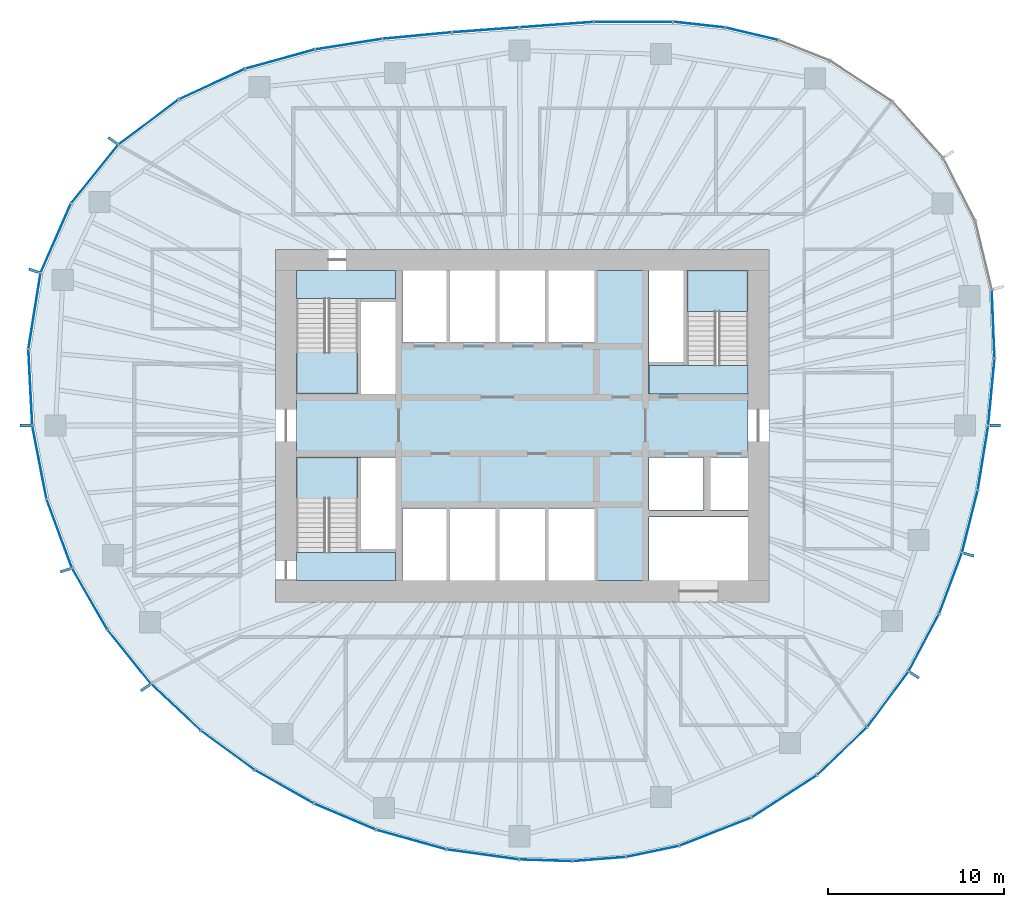
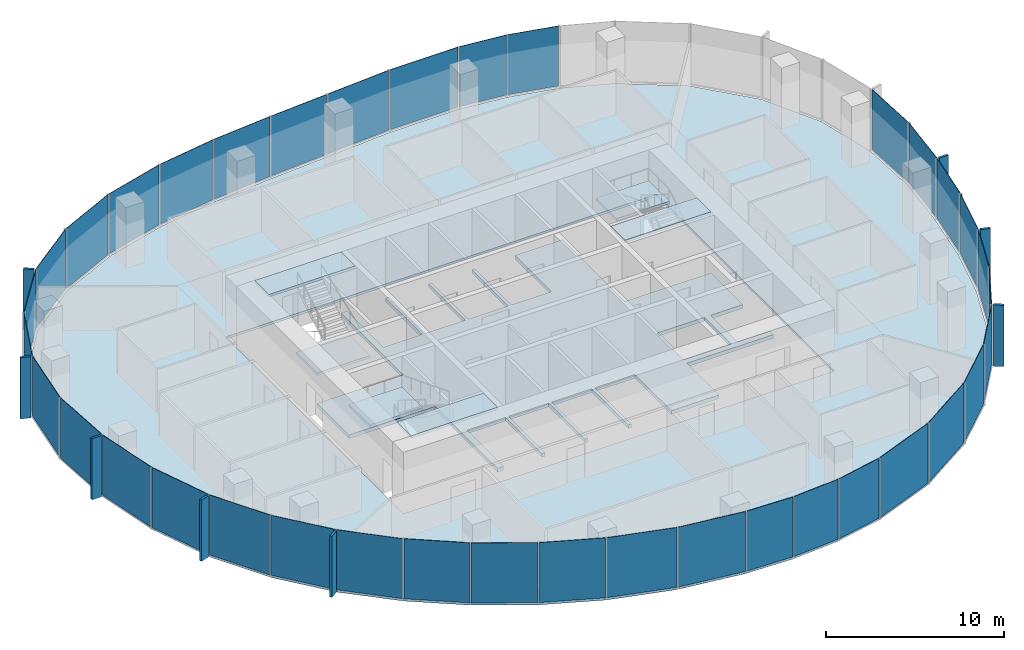
# One storey, part 7 of 11: 45 plates, 8 slabs, 21 elements without a shape of their own.
"""IFC4 building model written with IfcOpenShell, lengths in metres."""

from ifc_helpers import new_model, si_unit, direction, frame, origin, origin_2d, place, context, subcontext, project, spatial, polyline, rectangle, outline, extrude, material, layer, layer_set, type_object, element, aggregate, save


model = new_model("IFC4")

# Units and contexts
model_context = context("Model", 3, precision=1e-05, world=origin(), true_north=direction((0.0, 1.0)))
body_context = subcontext(model_context, "Body", "Model", "MODEL_VIEW")
ifc_project = project(units=[si_unit("LENGTHUNIT", "METRE"), si_unit("AREAUNIT", "SQUARE_METRE"), si_unit("VOLUMEUNIT", "CUBIC_METRE"), si_unit("PLANEANGLEUNIT", "RADIAN"), si_unit("MASSUNIT", "GRAM", prefix="KILO")], contexts=[model_context])

# Site, building, storey
site_placement = place(None, origin())
site = spatial("IfcSite", under=ifc_project, at=site_placement, CompositionType="ELEMENT")
building_placement = place(site_placement, origin())
building = spatial("IfcBuilding", under=site, at=building_placement, Name="Ghaith Harvest Tower", CompositionType="ELEMENT")
storey_placement = place(building_placement, frame((0.0, 0.0, 245.199951171875)))
storey = spatial("IfcBuildingStorey", under=building, at=storey_placement, Name="L54", CompositionType="ELEMENT", Elevation=245.199951171875)

# Curtain wall, plates
ifc_material_1 = material(Name="Black anodised aluminium and fritted glass", Category="aluminium")
curtain_wall_type = type_object("IfcCurtainWallType", Name="CW-H CURTAIN WALL", PredefinedType="NOTDEFINED", material=ifc_material_1)
curtain_wall_1_placement = place(storey_placement, origin())
curtain_wall_1 = element("IfcCurtainWall", 1, at=curtain_wall_1_placement, inside=storey, type_object=curtain_wall_type, Name="Curtain wall CW-H bay 01 L54", PredefinedType="NOTDEFINED")
ifc_material_2 = material(Name="Glass, dark solar-control fritted double glazed unit", Category="glass")
ifc_layer_1 = layer(ifc_material_2, 0.030029296875)
ifc_layer_set_1 = layer_set([ifc_layer_1], Name="CW-H VISION PANEL")
plate_type_1 = type_object("IfcPlateType", Name="CW-H VISION PANEL", PredefinedType="CURTAIN_PANEL", material=ifc_layer_set_1)
plate_1_placement = place(storey_placement, frame((26.624755859375, 1.89794921875, 0.080078125), z_axis=(0.0, 0.0, 1.0), x_axis=(0.094301909937, 0.995543645343, 0.0)))
plate_1 = element("IfcPlate", 2, at=plate_1_placement, type_object=plate_type_1, Name="CW-H glass unit 1 bay 01 L54", PredefinedType="CURTAIN_PANEL", context=body_context, shape_type="SweptSolid", body=[
    extrude(rectangle(XDim=3.73291015625, YDim=0.030029296875, at=origin_2d()), origin(), (0.0, 0.0, 1.0), 4.1201171875),
])
plate_2_placement = place(storey_placement, frame((26.7255859375, 5.74853515625, 0.080078125), z_axis=(0.0, 0.0, 1.0), x_axis=(-0.040462173218, 0.999181070947, 0.0)))
plate_2 = element("IfcPlate", 3, at=plate_2_placement, type_object=plate_type_1, Name="CW-H glass unit 2 bay 01 L54", PredefinedType="CURTAIN_PANEL", context=body_context, shape_type="SweptSolid", body=[
    extrude(rectangle(XDim=3.82861328125, YDim=0.030029296875, at=origin_2d()), origin(), (0.0, 0.0, 1.0), 4.1201171875),
])
aggregate(curtain_wall_1, [plate_1, plate_2])

curtain_wall_2_placement = place(storey_placement, origin())
curtain_wall_2 = element("IfcCurtainWall", 4, at=curtain_wall_2_placement, inside=storey, type_object=curtain_wall_type, Name="Curtain wall CW-H bay 04 L54", PredefinedType="NOTDEFINED")
plate_3_placement = place(storey_placement, frame((13.027099609375, 22.225341796875, 0.080078125), z_axis=(0.0, 0.0, 1.0), x_axis=(-0.973266235028, 0.229679854916, 0.0)))
plate_3 = element("IfcPlate", 5, at=plate_3_placement, type_object=plate_type_1, Name="CW-H glass unit 2 bay 04 L54", PredefinedType="CURTAIN_PANEL", context=body_context, shape_type="SweptSolid", body=[
    extrude(rectangle(XDim=3.00244140625, YDim=0.030029296875, at=origin_2d()), origin(), (0.0, 0.0, 1.0), 4.1201171875),
])
plate_4_placement = place(storey_placement, frame((10.045654296875, 22.744384765625, 0.080078125), z_axis=(0.0, 0.0, 1.0), x_axis=(-0.993865217442, 0.11059805405, 0.0)))
plate_4 = element("IfcPlate", 6, at=plate_4_placement, type_object=plate_type_1, Name="CW-H glass unit 3 bay 04 L54", PredefinedType="CURTAIN_PANEL", context=body_context, shape_type="SweptSolid", body=[
    extrude(rectangle(XDim=2.901123046875, YDim=0.030029296875, at=origin_2d()), origin(), (0.0, 0.0, 1.0), 4.1201171875),
])
aggregate(curtain_wall_2, [plate_3, plate_4])

curtain_wall_3_placement = place(storey_placement, origin())
curtain_wall_3 = element("IfcCurtainWall", 7, at=curtain_wall_3_placement, inside=storey, type_object=curtain_wall_type, Name="Curtain wall CW-H bay 05 L54", PredefinedType="NOTDEFINED")
plate_5_placement = place(storey_placement, frame((6.31201171875, 22.904296875, 0.080078125), z_axis=(0.0, 0.0, 1.0), x_axis=(-0.999997643645, -0.002170876291, 0.0)))
plate_5 = element("IfcPlate", 8, at=plate_5_placement, type_object=plate_type_1, Name="CW-H glass unit 1 bay 05 L54", PredefinedType="CURTAIN_PANEL", context=body_context, shape_type="SweptSolid", body=[
    extrude(rectangle(XDim=4.4248046875, YDim=0.030029296875, at=origin_2d()), origin(), (0.0, 0.0, 1.0), 4.1201171875),
])
plate_6_placement = place(storey_placement, frame((1.952392578125, 22.744873046875, 0.080078125), z_axis=(0.0, 0.0, 1.0), x_axis=(-0.997324570719, -0.073100619976, 0.0)))
plate_6 = element("IfcPlate", 9, at=plate_6_placement, type_object=plate_type_1, Name="CW-H glass unit 2 bay 05 L54", PredefinedType="CURTAIN_PANEL", context=body_context, shape_type="SweptSolid", body=[
    extrude(rectangle(XDim=4.1455078125, YDim=0.030029296875, at=origin_2d()), origin(), (0.0, 0.0, 1.0), 4.1201171875),
])
aggregate(curtain_wall_3, [plate_5, plate_6])

curtain_wall_4_placement = place(storey_placement, origin())
curtain_wall_4 = element("IfcCurtainWall", 10, at=curtain_wall_4_placement, inside=storey, type_object=curtain_wall_type, Name="Curtain wall CW-H bay 06 L54", PredefinedType="NOTDEFINED")
plate_7_placement = place(storey_placement, frame((-2.0693359375, 22.450439453125, 0.080078125), z_axis=(0.0, 0.0, 1.0), x_axis=(-0.997334393671, -0.072966479985, 0.0)))
plate_7 = element("IfcPlate", 11, at=plate_7_placement, type_object=plate_type_1, Name="CW-H glass unit 1 bay 06 L54", PredefinedType="CURTAIN_PANEL", context=body_context, shape_type="SweptSolid", body=[
    extrude(rectangle(XDim=3.759765625, YDim=0.030029296875, at=origin_2d()), origin(), (0.0, 0.0, 1.0), 4.1201171875),
])
plate_8_placement = place(storey_placement, frame((-5.954345703125, 22.12548828125, 0.080078125), z_axis=(0.0, 0.0, 1.0), x_axis=(-0.995631991968, -0.093364535934, 0.0)))
plate_8 = element("IfcPlate", 12, at=plate_8_placement, type_object=plate_type_1, Name="CW-H glass unit 2 bay 06 L54", PredefinedType="CURTAIN_PANEL", context=body_context, shape_type="SweptSolid", body=[
    extrude(rectangle(XDim=3.87744140625, YDim=0.030029296875, at=origin_2d()), origin(), (0.0, 0.0, 1.0), 4.1201171875),
])
aggregate(curtain_wall_4, [plate_7, plate_8])

curtain_wall_5_placement = place(storey_placement, origin())
curtain_wall_5 = element("IfcCurtainWall", 13, at=curtain_wall_5_placement, inside=storey, type_object=curtain_wall_type, Name="Curtain wall CW-H bay 07 L54", PredefinedType="NOTDEFINED")
plate_9_placement = place(storey_placement, frame((-9.83837890625, 21.638671875, 0.080078125), z_axis=(0.0, 0.0, 1.0), x_axis=(-0.98777033338, -0.155915901993, 0.0)))
plate_9 = element("IfcPlate", 14, at=plate_9_placement, type_object=plate_type_1, Name="CW-H glass unit 1 bay 07 L54", PredefinedType="CURTAIN_PANEL", context=body_context, shape_type="SweptSolid", body=[
    extrude(rectangle(XDim=3.795166015625, YDim=0.030029296875, at=origin_2d()), origin(), (0.0, 0.0, 1.0), 4.1201171875),
])
plate_10_placement = place(storey_placement, frame((-13.736572265625, 20.78955078125, 0.080078125), z_axis=(0.0, 0.0, 1.0), x_axis=(-0.964034113875, -0.26577853052, 0.0)))
plate_10 = element("IfcPlate", 15, at=plate_10_placement, type_object=plate_type_1, Name="CW-H glass unit 2 bay 07 L54", PredefinedType="CURTAIN_PANEL", context=body_context, shape_type="SweptSolid", body=[
    extrude(rectangle(XDim=4.03662109375, YDim=0.030029296875, at=origin_2d()), origin(), (0.0, 0.0, 1.0), 4.1201171875),
])
aggregate(curtain_wall_5, [plate_9, plate_10])

curtain_wall_6_placement = place(storey_placement, origin())
curtain_wall_6 = element("IfcCurtainWall", 16, at=curtain_wall_6_placement, inside=storey, type_object=curtain_wall_type, Name="Curtain wall CW-H bay 08 L54", PredefinedType="NOTDEFINED")
plate_11_placement = place(storey_placement, frame((-17.608154296875, 19.370849609375, 0.080078125), z_axis=(0.0, 0.0, 1.0), x_axis=(-0.907814470414, -0.419372015408, 0.0)))
plate_11 = element("IfcPlate", 17, at=plate_11_placement, type_object=plate_type_1, Name="CW-H glass unit 1 bay 08 L54", PredefinedType="CURTAIN_PANEL", context=body_context, shape_type="SweptSolid", body=[
    extrude(rectangle(XDim=4.077392578125, YDim=0.030029296875, at=origin_2d()), origin(), (0.0, 0.0, 1.0), 4.1201171875),
])
plate_12_placement = place(storey_placement, frame((-21.20166015625, 17.219482421875, 0.080078125), z_axis=(0.0, 0.0, 1.0), x_axis=(-0.800067053187, -0.599910585341, 0.0)))
plate_12 = element("IfcPlate", 18, at=plate_12_placement, type_object=plate_type_1, Name="CW-H glass unit 2 bay 08 L54", PredefinedType="CURTAIN_PANEL", context=body_context, shape_type="SweptSolid", body=[
    extrude(rectangle(XDim=4.18603515625, YDim=0.030029296875, at=origin_2d()), origin(), (0.0, 0.0, 1.0), 4.1201171875),
])
aggregate(curtain_wall_6, [plate_11, plate_12])

curtain_wall_7_placement = place(storey_placement, origin())
curtain_wall_7 = element("IfcCurtainWall", 19, at=curtain_wall_7_placement, inside=storey, type_object=curtain_wall_type, Name="Curtain wall CW-H bay 09 L54", PredefinedType="NOTDEFINED")
plate_13_placement = place(storey_placement, frame((-24.25390625, 14.270263671875, 0.080078125), z_axis=(0.0, 0.0, 1.0), x_axis=(-0.627547637499, -0.778578167347, 0.0)))
plate_13 = element("IfcPlate", 20, at=plate_13_placement, type_object=plate_type_1, Name="CW-H glass unit 1 bay 09 L54", PredefinedType="CURTAIN_PANEL", context=body_context, shape_type="SweptSolid", body=[
    extrude(rectangle(XDim=4.208740234375, YDim=0.030029296875, at=origin_2d()), origin(), (0.0, 0.0, 1.0), 4.1201171875),
])
plate_14_placement = place(storey_placement, frame((-26.462646484375, 10.63037109375, 0.080078125), z_axis=(0.0, 0.0, 1.0), x_axis=(-0.40121291108, -0.915984825192, 0.0)))
plate_14 = element("IfcPlate", 21, at=plate_14_placement, type_object=plate_type_1, Name="CW-H glass unit 2 bay 09 L54", PredefinedType="CURTAIN_PANEL", context=body_context, shape_type="SweptSolid", body=[
    extrude(rectangle(XDim=4.22216796875, YDim=0.030029296875, at=origin_2d()), origin(), (0.0, 0.0, 1.0), 4.1201171875),
])
aggregate(curtain_wall_7, [plate_13, plate_14])

curtain_wall_8_placement = place(storey_placement, origin())
curtain_wall_8 = element("IfcCurtainWall", 22, at=curtain_wall_8_placement, inside=storey, type_object=curtain_wall_type, Name="Curtain wall CW-H bay 10 L54", PredefinedType="NOTDEFINED")
plate_15_placement = place(storey_placement, frame((-27.670654296875, 6.49658203125, 0.080078125), z_axis=(0.0, 0.0, 1.0), x_axis=(-0.157514341695, -0.987516699687, 0.0)))
plate_15 = element("IfcPlate", 23, at=plate_15_placement, type_object=plate_type_1, Name="CW-H glass unit 1 bay 10 L54", PredefinedType="CURTAIN_PANEL", context=body_context, shape_type="SweptSolid", body=[
    extrude(rectangle(XDim=4.301513671875, YDim=0.030029296875, at=origin_2d()), origin(), (0.0, 0.0, 1.0), 4.1201171875),
])
plate_16_placement = place(storey_placement, frame((-27.905517578125, 2.16650390625, 0.080078125), z_axis=(0.0, 0.0, 1.0), x_axis=(0.050894857592, -0.998704016949, 0.0)))
plate_16 = element("IfcPlate", 24, at=plate_16_placement, type_object=plate_type_1, Name="CW-H glass unit 2 bay 10 L54", PredefinedType="CURTAIN_PANEL", context=body_context, shape_type="SweptSolid", body=[
    extrude(rectangle(XDim=4.2587890625, YDim=0.030029296875, at=origin_2d()), origin(), (0.0, 0.0, 1.0), 4.1201171875),
])
aggregate(curtain_wall_8, [plate_15, plate_16])

curtain_wall_9_placement = place(storey_placement, origin())
curtain_wall_9 = element("IfcCurtainWall", 25, at=curtain_wall_9_placement, inside=storey, type_object=curtain_wall_type, Name="Curtain wall CW-H bay 11 L54", PredefinedType="NOTDEFINED")
plate_17_placement = place(storey_placement, frame((-27.39013671875, -2.0869140625, 0.080078125), z_axis=(0.0, 0.0, 1.0), x_axis=(0.190426809322, -0.981701395686, 0.0)))
plate_17 = element("IfcPlate", 26, at=plate_17_placement, type_object=plate_type_1, Name="CW-H glass unit 1 bay 11 L54", PredefinedType="CURTAIN_PANEL", context=body_context, shape_type="SweptSolid", body=[
    extrude(rectangle(XDim=4.171630859375, YDim=0.030029296875, at=origin_2d()), origin(), (0.0, 0.0, 1.0), 4.1201171875),
])
plate_18_placement = place(storey_placement, frame((-26.261962890625, -6.1337890625, 0.080078125), z_axis=(0.0, 0.0, 1.0), x_axis=(0.346303431688, -0.938122557666, 0.0)))
plate_18 = element("IfcPlate", 27, at=plate_18_placement, type_object=plate_type_1, Name="CW-H glass unit 2 bay 11 L54", PredefinedType="CURTAIN_PANEL", context=body_context, shape_type="SweptSolid", body=[
    extrude(rectangle(XDim=4.098388671875, YDim=0.030029296875, at=origin_2d()), origin(), (0.0, 0.0, 1.0), 4.1201171875),
])
aggregate(curtain_wall_9, [plate_17, plate_18])

curtain_wall_10_placement = place(storey_placement, origin())
curtain_wall_10 = element("IfcCurtainWall", 28, at=curtain_wall_10_placement, inside=storey, type_object=curtain_wall_type, Name="Curtain wall CW-H bay 12 L54", PredefinedType="NOTDEFINED")
plate_19_placement = place(storey_placement, frame((-24.535888671875, -9.838623046875, 0.080078125), z_axis=(0.0, 0.0, 1.0), x_axis=(0.49818018945, -0.867073525625, 0.0)))
plate_19 = element("IfcPlate", 29, at=plate_19_placement, type_object=plate_type_1, Name="CW-H glass unit 1 bay 12 L54", PredefinedType="CURTAIN_PANEL", context=body_context, shape_type="SweptSolid", body=[
    extrude(rectangle(XDim=3.945068359375, YDim=0.030029296875, at=origin_2d()), origin(), (0.0, 0.0, 1.0), 4.1201171875),
])
plate_20_placement = place(storey_placement, frame((-22.29736328125, -13.119140625, 0.080078125), z_axis=(0.0, 0.0, 1.0), x_axis=(0.626957061695, -0.779053812513, 0.0)))
plate_20 = element("IfcPlate", 30, at=plate_20_placement, type_object=plate_type_1, Name="CW-H glass unit 2 bay 12 L54", PredefinedType="CURTAIN_PANEL", context=body_context, shape_type="SweptSolid", body=[
    extrude(rectangle(XDim=3.8623046875, YDim=0.030029296875, at=origin_2d()), origin(), (0.0, 0.0, 1.0), 4.1201171875),
])
aggregate(curtain_wall_10, [plate_19, plate_20])

curtain_wall_11_placement = place(storey_placement, origin())
curtain_wall_11 = element("IfcCurtainWall", 31, at=curtain_wall_11_placement, inside=storey, type_object=curtain_wall_type, Name="Curtain wall CW-H bay 13 L54", PredefinedType="NOTDEFINED")
plate_21_placement = place(storey_placement, frame((-19.649658203125, -15.98046875, 0.080078125), z_axis=(0.0, 0.0, 1.0), x_axis=(0.729016864325, -0.684495735217, 0.0)))
plate_21 = element("IfcPlate", 32, at=plate_21_placement, type_object=plate_type_1, Name="CW-H glass unit 1 bay 13 L54", PredefinedType="CURTAIN_PANEL", context=body_context, shape_type="SweptSolid", body=[
    extrude(rectangle(XDim=3.793212890625, YDim=0.030029296875, at=origin_2d()), origin(), (0.0, 0.0, 1.0), 4.1201171875),
])
plate_22_placement = place(storey_placement, frame((-16.707763671875, -18.42431640625, 0.080078125), z_axis=(0.0, 0.0, 1.0), x_axis=(0.80736351134, -0.590054370848, 0.0)))
plate_22 = element("IfcPlate", 33, at=plate_22_placement, type_object=plate_type_1, Name="CW-H glass unit 2 bay 13 L54", PredefinedType="CURTAIN_PANEL", context=body_context, shape_type="SweptSolid", body=[
    extrude(rectangle(XDim=3.710693359375, YDim=0.030029296875, at=origin_2d()), origin(), (0.0, 0.0, 1.0), 4.1201171875),
])
aggregate(curtain_wall_11, [plate_21, plate_22])

curtain_wall_12_placement = place(storey_placement, origin())
curtain_wall_12 = element("IfcCurtainWall", 34, at=curtain_wall_12_placement, inside=storey, type_object=curtain_wall_type, Name="Curtain wall CW-H bay 14 L54", PredefinedType="NOTDEFINED")
plate_23_placement = place(storey_placement, frame((-13.496337890625, -20.496826171875, 0.080078125), z_axis=(0.0, 0.0, 1.0), x_axis=(0.869715300233, -0.493553742303, 0.0)))
plate_23 = element("IfcPlate", 35, at=plate_23_placement, type_object=plate_type_1, Name="CW-H glass unit 1 bay 14 L54", PredefinedType="CURTAIN_PANEL", context=body_context, shape_type="SweptSolid", body=[
    extrude(rectangle(XDim=3.785888671875, YDim=0.030029296875, at=origin_2d()), origin(), (0.0, 0.0, 1.0), 4.1201171875),
])
plate_24_placement = place(storey_placement, frame((-10.050537109375, -22.1962890625, 0.080078125), z_axis=(0.0, 0.0, 1.0), x_axis=(0.921181516072, -0.389133157734, 0.0)))
plate_24 = element("IfcPlate", 36, at=plate_24_placement, type_object=plate_type_1, Name="CW-H glass unit 2 bay 14 L54", PredefinedType="CURTAIN_PANEL", context=body_context, shape_type="SweptSolid", body=[
    extrude(rectangle(XDim=3.751220703125, YDim=0.030029296875, at=origin_2d()), origin(), (0.0, 0.0, 1.0), 4.1201171875),
])
aggregate(curtain_wall_12, [plate_23, plate_24])

curtain_wall_13_placement = place(storey_placement, origin())
curtain_wall_13 = element("IfcCurtainWall", 37, at=curtain_wall_13_placement, inside=storey, type_object=curtain_wall_type, Name="Curtain wall CW-H bay 15 L54", PredefinedType="NOTDEFINED")
plate_25_placement = place(storey_placement, frame((-6.291015625, -23.49853515625, 0.080078125), z_axis=(0.0, 0.0, 1.0), x_axis=(0.963162861349, -0.268918765647, 0.0)))
plate_25 = element("IfcPlate", 38, at=plate_25_placement, type_object=plate_type_1, Name="CW-H glass unit 1 bay 15 L54", PredefinedType="CURTAIN_PANEL", context=body_context, shape_type="SweptSolid", body=[
    extrude(rectangle(XDim=4.062744140625, YDim=0.030029296875, at=origin_2d()), origin(), (0.0, 0.0, 1.0), 4.1201171875),
])
plate_26_placement = place(storey_placement, frame((-2.232177734375, -24.34033203125, 0.080078125), z_axis=(0.0, 0.0, 1.0), x_axis=(0.990612268407, -0.136701622823, 0.0)))
plate_26 = element("IfcPlate", 39, at=plate_26_placement, type_object=plate_type_1, Name="CW-H glass unit 2 bay 15 L54", PredefinedType="CURTAIN_PANEL", context=body_context, shape_type="SweptSolid", body=[
    extrude(rectangle(XDim=4.08642578125, YDim=0.030029296875, at=origin_2d()), origin(), (0.0, 0.0, 1.0), 4.1201171875),
])
aggregate(curtain_wall_13, [plate_25, plate_26])

curtain_wall_14_placement = place(storey_placement, origin())
curtain_wall_14 = element("IfcCurtainWall", 40, at=curtain_wall_14_placement, inside=storey, type_object=curtain_wall_type, Name="Curtain wall CW-H bay 16 L54", PredefinedType="NOTDEFINED")
plate_27_placement = place(storey_placement, frame((1.339599609375, -24.67333984375, 0.080078125), z_axis=(0.0, 0.0, 1.0), x_axis=(0.99949125523, -0.031894054587, 0.0)))
plate_27 = element("IfcPlate", 41, at=plate_27_placement, type_object=plate_type_1, Name="CW-H glass unit 1 bay 16 L54", PredefinedType="CURTAIN_PANEL", context=body_context, shape_type="SweptSolid", body=[
    extrude(rectangle(XDim=2.937744140625, YDim=0.030029296875, at=origin_2d()), origin(), (0.0, 0.0, 1.0), 4.1201171875),
])
plate_28_placement = place(storey_placement, frame((4.37060546875, -24.60205078125, 0.080078125), z_axis=(0.0, 0.0, 1.0), x_axis=(0.996945418782, 0.078101421048, 0.0)))
plate_28 = element("IfcPlate", 42, at=plate_28_placement, type_object=plate_type_1, Name="CW-H glass unit 2 bay 16 L54", PredefinedType="CURTAIN_PANEL", context=body_context, shape_type="SweptSolid", body=[
    extrude(rectangle(XDim=2.974853515625, YDim=0.030029296875, at=origin_2d()), origin(), (0.0, 0.0, 1.0), 4.1201171875),
])
plate_29_placement = place(storey_placement, frame((7.40478515625, -24.16650390625, 0.080078125), z_axis=(0.0, 0.0, 1.0), x_axis=(0.978788872874, 0.204871526422, 0.0)))
plate_29 = element("IfcPlate", 43, at=plate_29_placement, type_object=plate_type_1, Name="CW-H glass unit 3 bay 16 L54", PredefinedType="CURTAIN_PANEL", context=body_context, shape_type="SweptSolid", body=[
    extrude(rectangle(XDim=3.00830078125, YDim=0.030029296875, at=origin_2d()), origin(), (0.0, 0.0, 1.0), 4.1201171875),
])
aggregate(curtain_wall_14, [plate_27, plate_28, plate_29])

curtain_wall_15_placement = place(storey_placement, origin())
curtain_wall_15 = element("IfcCurtainWall", 44, at=curtain_wall_15_placement, inside=storey, type_object=curtain_wall_type, Name="Curtain wall CW-H bay 17 L54", PredefinedType="NOTDEFINED")
plate_30_placement = place(storey_placement, frame((10.963134765625, -23.048583984375, 0.080078125), z_axis=(0.0, 0.0, 1.0), x_axis=(0.931161161765, 0.364607858966, 0.0)))
plate_30 = element("IfcPlate", 45, at=plate_30_placement, type_object=plate_type_1, Name="CW-H glass unit 1 bay 17 L54", PredefinedType="CURTAIN_PANEL", context=body_context, shape_type="SweptSolid", body=[
    extrude(rectangle(XDim=4.316650390625, YDim=0.030029296875, at=origin_2d()), origin(), (0.0, 0.0, 1.0), 4.1201171875),
])
plate_31_placement = place(storey_placement, frame((14.869384765625, -21.042724609375, 0.080078125), z_axis=(0.0, 0.0, 1.0), x_axis=(0.839305300126, 0.543660384045, 0.0)))
plate_31 = element("IfcPlate", 46, at=plate_31_placement, type_object=plate_type_1, Name="CW-H glass unit 2 bay 17 L54", PredefinedType="CURTAIN_PANEL", context=body_context, shape_type="SweptSolid", body=[
    extrude(rectangle(XDim=4.35107421875, YDim=0.030029296875, at=origin_2d()), origin(), (0.0, 0.0, 1.0), 4.1201171875),
])
aggregate(curtain_wall_15, [plate_30, plate_31])

curtain_wall_16_placement = place(storey_placement, origin())
curtain_wall_16 = element("IfcCurtainWall", 47, at=curtain_wall_16_placement, inside=storey, type_object=curtain_wall_type, Name="Curtain wall CW-H bay 18 L54", PredefinedType="NOTDEFINED")
plate_32_placement = place(storey_placement, frame((18.151611328125, -18.47705078125, 0.080078125), z_axis=(0.0, 0.0, 1.0), x_axis=(0.722532585058, 0.691336866896, 0.0)))
plate_32 = element("IfcPlate", 48, at=plate_32_placement, type_object=plate_type_1, Name="CW-H glass unit 1 bay 18 L54", PredefinedType="CURTAIN_PANEL", context=body_context, shape_type="SweptSolid", body=[
    extrude(rectangle(XDim=3.85791015625, YDim=0.030029296875, at=origin_2d()), origin(), (0.0, 0.0, 1.0), 4.1201171875),
])
plate_33_placement = place(storey_placement, frame((20.74853515625, -15.53369140625, 0.080078125), z_axis=(0.0, 0.0, 1.0), x_axis=(0.596018639888, 0.802970597784, 0.0)))
plate_33 = element("IfcPlate", 49, at=plate_33_placement, type_object=plate_type_1, Name="CW-H glass unit 2 bay 18 L54", PredefinedType="CURTAIN_PANEL", context=body_context, shape_type="SweptSolid", body=[
    extrude(rectangle(XDim=3.8603515625, YDim=0.030029296875, at=origin_2d()), origin(), (0.0, 0.0, 1.0), 4.1201171875),
])
aggregate(curtain_wall_16, [plate_32, plate_33])

curtain_wall_17_placement = place(storey_placement, origin())
curtain_wall_17 = element("IfcCurtainWall", 50, at=curtain_wall_17_placement, inside=storey, type_object=curtain_wall_type, Name="Curtain wall CW-H bay 19 L54", PredefinedType="NOTDEFINED")
plate_34_placement = place(storey_placement, frame((22.79052734375, -12.316162109375, 0.080078125), z_axis=(0.0, 0.0, 1.0), x_axis=(0.46864379564, 0.883387226989, 0.0)))
plate_34 = element("IfcPlate", 51, at=plate_34_placement, type_object=plate_type_1, Name="CW-H glass unit 1 bay 19 L54", PredefinedType="CURTAIN_PANEL", context=body_context, shape_type="SweptSolid", body=[
    extrude(rectangle(XDim=3.623291015625, YDim=0.030029296875, at=origin_2d()), origin(), (0.0, 0.0, 1.0), 4.1201171875),
])
plate_35_placement = place(storey_placement, frame((24.30712890625, -8.946533203125, 0.080078125), z_axis=(0.0, 0.0, 1.0), x_axis=(0.350480749824, 0.936569935457, 0.0)))
plate_35 = element("IfcPlate", 52, at=plate_35_placement, type_object=plate_type_1, Name="CW-H glass unit 2 bay 19 L54", PredefinedType="CURTAIN_PANEL", context=body_context, shape_type="SweptSolid", body=[
    extrude(rectangle(XDim=3.62255859375, YDim=0.030029296875, at=origin_2d()), origin(), (0.0, 0.0, 1.0), 4.1201171875),
])
aggregate(curtain_wall_17, [plate_34, plate_35])

curtain_wall_18_placement = place(storey_placement, origin())
curtain_wall_18 = element("IfcCurtainWall", 53, at=curtain_wall_18_placement, inside=storey, type_object=curtain_wall_type, Name="Curtain wall CW-H bay 20 L54", PredefinedType="NOTDEFINED")
plate_36_placement = place(storey_placement, frame((25.404541015625, -5.43701171875, 0.080078125), z_axis=(0.0, 0.0, 1.0), x_axis=(0.244925945134, 0.969541789404, 0.0)))
plate_36 = element("IfcPlate", 54, at=plate_36_placement, type_object=plate_type_1, Name="CW-H glass unit 1 bay 20 L54", PredefinedType="CURTAIN_PANEL", context=body_context, shape_type="SweptSolid", body=[
    extrude(rectangle(XDim=3.583251953125, YDim=0.030029296875, at=origin_2d()), origin(), (0.0, 0.0, 1.0), 4.1201171875),
])
plate_37_placement = place(storey_placement, frame((26.14892578125, -1.83056640625, 0.080078125), z_axis=(0.0, 0.0, 1.0), x_axis=(0.159600748097, 0.987181645497, 0.0)))
plate_37 = element("IfcPlate", 55, at=plate_37_placement, type_object=plate_type_1, Name="CW-H glass unit 2 bay 20 L54", PredefinedType="CURTAIN_PANEL", context=body_context, shape_type="SweptSolid", body=[
    extrude(rectangle(XDim=3.628662109375, YDim=0.030029296875, at=origin_2d()), origin(), (0.0, 0.0, 1.0), 4.1201171875),
])
aggregate(curtain_wall_18, [plate_36, plate_37])

# Slabs
ifc_material_3 = material(Name="Concrete C40/50", Category="concrete")
ifc_layer_2 = layer(ifc_material_3, 0.169921875)
ifc_layer_set_2 = layer_set([ifc_layer_2], Name="FLOOR SLAB 170")
slab_type_1 = type_object("IfcSlabType", Name="FLOOR SLAB 170", PredefinedType="FLOOR", material=ifc_layer_set_2)
slab_1_placement = place(storey_placement, frame((0.0, 0.0, -0.169921875)))
element("IfcSlab", 56, at=slab_1_placement, inside=storey, type_object=slab_type_1, Name="Floor slab L54", PredefinedType="FLOOR", context=body_context, shape_type="SweptSolid", body=[
    extrude(outline(polyline([(26.324951171875, 0.0), (26.685791015625, 3.779052734375), (26.531005859375, 7.668212890625), (25.597900390625, 11.55615234375), (23.77294921875, 15.12939453125), (20.923095703125, 18.295166015625), (17.382080078125, 20.612548828125), (14.460693359375, 21.771484375), (11.47265625, 22.47265625), (8.522216796875, 22.796875), (4.03857421875, 22.78125), (-0.15380859375, 22.470458984375), (-3.963134765625, 22.192138671875), (-7.8837890625, 21.827880859375), (-11.694580078125, 21.2314453125), (-15.6474609375, 20.147705078125), (-19.408203125, 18.41650390625), (-22.809814453125, 15.87109375), (-25.491943359375, 12.547607421875), (-27.211181640625, 8.623779296875), (-27.897216796875, 4.314697265625), (-27.675048828125, 0.0), (-26.86669921875, -4.155517578125), (-25.424072265625, -8.057373046875), (-23.425537109375, -11.530517578125), (-20.963134765625, -14.586181640625), (-18.15087890625, -17.223388671875), (-15.10400390625, -19.447998046875), (-11.75732421875, -21.345703125), (-8.2451171875, -22.82861328125), (-4.27490234375, -23.9375), (-0.167724609375, -24.505126953125), (2.833984375, -24.602294921875), (5.865234375, -24.3662109375), (8.8740234375, -23.73779296875), (12.949462890625, -22.1435546875), (16.651611328125, -19.746337890625), (19.48388671875, -17.036865234375), (21.821533203125, -13.887451171875), (23.548828125, -10.631103515625), (24.840576171875, -7.179443359375), (25.734375, -3.644287109375), (26.324951171875, 0.0)]), holes=[polyline([(-14.0, -10.0), (14.0, -10.0), (14.0, 10.0), (-14.0, 10.0), (-14.0, -10.0)])]), origin(), (0.0, 0.0, 1.0), 0.169921875),
])
ifc_material_4 = material(Name="Concrete C40/50", Category="concrete")
ifc_layer_3 = layer(ifc_material_4, 0.25)
ifc_layer_set_3 = layer_set([ifc_layer_3], Name="FLOOR SLAB 250")
slab_type_2 = type_object("IfcSlabType", Name="FLOOR SLAB 250", PredefinedType="FLOOR", material=ifc_layer_set_3)
slab_2_placement = place(storey_placement, frame((0.0, 0.0, -0.25)))
element("IfcSlab", 57, at=slab_2_placement, inside=storey, type_object=slab_type_2, Name="Core slab L54", PredefinedType="FLOOR", context=body_context, shape_type="SweptSolid", body=[
    extrude(outline(polyline([(-12.800048828125, 1.800048828125), (-7.199951171875, 1.800048828125), (-7.199951171875, 8.800048828125), (-6.800048828125, 8.800048828125), (-6.800048828125, 4.699951171875), (-4.300048828125, 4.699951171875), (-4.300048828125, 8.800048828125), (-4.10009765625, 8.800048828125), (-4.10009765625, 4.699951171875), (-1.5, 4.699951171875), (-1.5, 8.800048828125), (-1.300048828125, 8.800048828125), (-1.300048828125, 4.699951171875), (1.300048828125, 4.699951171875), (1.300048828125, 8.800048828125), (1.5, 8.800048828125), (1.5, 4.699951171875), (4.10009765625, 4.699951171875), (4.10009765625, 8.800048828125), (7.199951171875, 8.800048828125), (7.199951171875, 1.800048828125), (12.800048828125, 1.800048828125), (12.800048828125, -1.800048828125), (10.699951171875, -1.800048828125), (10.699951171875, -4.800048828125), (12.800048828125, -4.800048828125), (12.800048828125, -5.199951171875), (7.199951171875, -5.199951171875), (7.199951171875, -8.800048828125), (4.10009765625, -8.800048828125), (4.10009765625, -4.699951171875), (1.5, -4.699951171875), (1.5, -8.800048828125), (1.300048828125, -8.800048828125), (1.300048828125, -4.699951171875), (-1.300048828125, -4.699951171875), (-1.300048828125, -8.800048828125), (-1.5, -8.800048828125), (-1.5, -4.699951171875), (-4.10009765625, -4.699951171875), (-4.10009765625, -8.800048828125), (-4.300048828125, -8.800048828125), (-4.300048828125, -4.699951171875), (-6.800048828125, -4.699951171875), (-6.800048828125, -8.800048828125), (-7.199951171875, -8.800048828125), (-7.199951171875, -1.800048828125), (-12.800048828125, -1.800048828125), (-12.800048828125, 1.800048828125)]), holes=[polyline([(10.300048828125, -4.800048828125), (10.300048828125, -1.800048828125), (7.199951171875, -1.800048828125), (7.199951171875, -4.800048828125), (10.300048828125, -4.800048828125)])]), origin(), (0.0, 0.0, 1.0), 0.25),
])

# Stair, slabs
ifc_material_5 = material(Name="Concrete C40/50, precast", Category="concrete")
stair_type = type_object("IfcStairType", Name="CORE STAIR 24R", PredefinedType="HALF_TURN_STAIR", material=ifc_material_5)
stair_1_placement = place(storey_placement, origin())
stair_1 = element("IfcStair", 58, at=stair_1_placement, inside=storey, type_object=stair_type, Name="Stair ST1 L54", PredefinedType="HALF_TURN_STAIR")
ifc_material_6 = material(Name="Concrete C40/50, precast", Category="concrete")
ifc_layer_4 = layer(ifc_material_6, 0.179931640625)
ifc_layer_set_4 = layer_set([ifc_layer_4], Name="STAIR LANDING 180")
slab_type_3 = type_object("IfcSlabType", Name="STAIR LANDING 180", PredefinedType="LANDING", material=ifc_layer_set_4)
slab_3_placement = place(storey_placement, frame((0.0, 0.0, 1.920166015625)))
slab_3 = element("IfcSlab", 59, at=slab_3_placement, type_object=slab_type_3, Name="ST1 landing 1", PredefinedType="LANDING", context=body_context, shape_type="SweptSolid", body=[
    extrude(outline(polyline([(-12.800048828125, 4.139892578125), (-12.800048828125, 1.77490234375), (-9.35009765625, 1.77490234375), (-9.35009765625, 4.139892578125), (-12.800048828125, 4.139892578125)])), origin(), (0.0, 0.0, 1.0), 0.179931640625),
])
slab_4_placement = place(storey_placement, frame((0.0, 0.0, 4.02001953125)))
slab_4 = element("IfcSlab", 60, at=slab_4_placement, type_object=slab_type_3, Name="ST1 landing 2", PredefinedType="LANDING", context=body_context, shape_type="SweptSolid", body=[
    extrude(outline(polyline([(-12.800048828125, 8.800048828125), (-12.800048828125, 7.199951171875), (-7.199951171875, 7.199951171875), (-7.199951171875, 8.800048828125), (-12.800048828125, 8.800048828125)])), origin(), (0.0, 0.0, 1.0), 0.179931640625),
])
aggregate(stair_1, [slab_3, slab_4])

stair_2_placement = place(storey_placement, origin())
stair_2 = element("IfcStair", 61, at=stair_2_placement, inside=storey, type_object=stair_type, Name="Stair ST3 L54", PredefinedType="HALF_TURN_STAIR")
slab_5_placement = place(storey_placement, frame((0.0, 0.0, 1.920166015625)))
slab_5 = element("IfcSlab", 62, at=slab_5_placement, type_object=slab_type_3, Name="ST3 landing 1", PredefinedType="LANDING", context=body_context, shape_type="SweptSolid", body=[
    extrude(outline(polyline([(-12.800048828125, -4.139892578125), (-12.800048828125, -1.77490234375), (-9.35009765625, -1.77490234375), (-9.35009765625, -4.139892578125), (-12.800048828125, -4.139892578125)])), origin(), (0.0, 0.0, 1.0), 0.179931640625),
])
slab_6_placement = place(storey_placement, frame((0.0, 0.0, 4.02001953125)))
slab_6 = element("IfcSlab", 63, at=slab_6_placement, type_object=slab_type_3, Name="ST3 landing 2", PredefinedType="LANDING", context=body_context, shape_type="SweptSolid", body=[
    extrude(outline(polyline([(-12.800048828125, -8.800048828125), (-12.800048828125, -7.199951171875), (-7.199951171875, -7.199951171875), (-7.199951171875, -8.800048828125), (-12.800048828125, -8.800048828125)])), origin(), (0.0, 0.0, 1.0), 0.179931640625),
])
aggregate(stair_2, [slab_5, slab_6])

stair_3_placement = place(storey_placement, origin())
stair_3 = element("IfcStair", 64, at=stair_3_placement, inside=storey, type_object=stair_type, Name="Stair ST2 L54", PredefinedType="HALF_TURN_STAIR")
slab_7_placement = place(storey_placement, frame((0.0, 0.0, 1.920166015625)))
slab_7 = element("IfcSlab", 65, at=slab_7_placement, type_object=slab_type_3, Name="ST2 landing 1", PredefinedType="LANDING", context=body_context, shape_type="SweptSolid", body=[
    extrude(outline(polyline([(12.800048828125, 6.4599609375), (12.800048828125, 8.800048828125), (9.35009765625, 8.800048828125), (9.35009765625, 6.4599609375), (12.800048828125, 6.4599609375)])), origin(), (0.0, 0.0, 1.0), 0.179931640625),
])
slab_8_placement = place(storey_placement, frame((0.0, 0.0, 4.02001953125)))
slab_8 = element("IfcSlab", 66, at=slab_8_placement, type_object=slab_type_3, Name="ST2 landing 2", PredefinedType="LANDING", context=body_context, shape_type="SweptSolid", body=[
    extrude(outline(polyline([(12.800048828125, 1.800048828125), (12.800048828125, 3.39990234375), (7.199951171875, 3.39990234375), (7.199951171875, 1.800048828125), (12.800048828125, 1.800048828125)])), origin(), (0.0, 0.0, 1.0), 0.179931640625),
])
aggregate(stair_3, [slab_7, slab_8])

# Plates
ifc_material_7 = material(Name="Glassfibre-reinforced concrete", Category="concrete")
ifc_layer_5 = layer(ifc_material_7, 0.14990234375)
ifc_layer_set_5 = layer_set([ifc_layer_5], Name="SUN-BREAKER FIN 600x150")
plate_type_2 = type_object("IfcPlateType", Name="SUN-BREAKER FIN 600x150", PredefinedType="USERDEFINED", material=ifc_layer_set_5)
for number, where, z_axis, x_axis, name in (
    (67, (26.844970703125, 0.0, 0.0), (0.0, 0.0, 1.0), (1.0, 0.0, 0.0), "Sun-breaker fin CW-H 1 bay 01 L54"),
    (68, (-23.236572265625, 16.168212890625, 0.0), (0.0, 0.0, 1.0), (-0.820845486523, 0.571150319316, 0.0), "Sun-breaker fin CW-H 1 bay 09 L54"),
    (69, (-27.70703125, 8.78076171875, 0.0), (0.0, 0.0, 1.0), (-0.953273219358, 0.302109531884, 0.0), "Sun-breaker fin CW-H 1 bay 10 L54"),
    (70, (-28.195068359375, 0.0, 0.0), (0.0, 0.0, 1.0), (-1.0, -4.19e-10, 0.0), "Sun-breaker fin CW-H 1 bay 11 L54"),
    (71, (-25.919677734375, -8.21435546875, 0.0), (0.0, 0.0, 1.0), (-0.953273219416, -0.302109531701, 0.0), "Sun-breaker fin CW-H 1 bay 12 L54"),
    (72, (-21.389892578125, -14.88330078125, 0.0), (0.0, 0.0, 1.0), (-0.820845486622, -0.571150319173, 0.0), "Sun-breaker fin CW-H 1 bay 13 L54"),
    (73, (22.26025390625, -14.16650390625, 0.0), (0.0, 0.0, 1.0), (0.84364397137, -0.536903016913, 0.0), "Sun-breaker fin CW-H 1 bay 19 L54"),
    (74, (25.340087890625, -7.32373046875, 0.0), (0.0, 0.0, 1.0), (0.960680349932, -0.277656739976, 0.0), "Sun-breaker fin CW-H 1 bay 20 L54"),
):
    element("IfcPlate", number, at=place(storey_placement, frame(where, z_axis=z_axis, x_axis=x_axis)), inside=storey, type_object=plate_type_2, Name=name, ObjectType="SUN-BREAKER FIN", PredefinedType="USERDEFINED", context=body_context, shape_type="SweptSolid", body=[
        extrude(rectangle(XDim=0.60009765625, YDim=0.14990234375, at=origin_2d()), origin(), (0.0, 0.0, 1.0), 4.199951171875),
    ])

save(model, "model.ifc")
